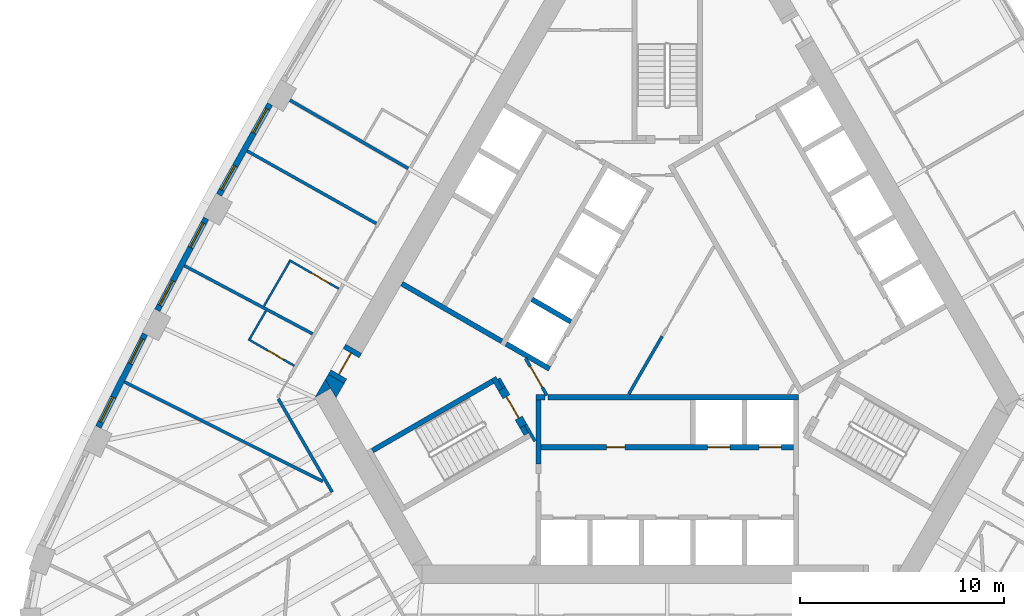
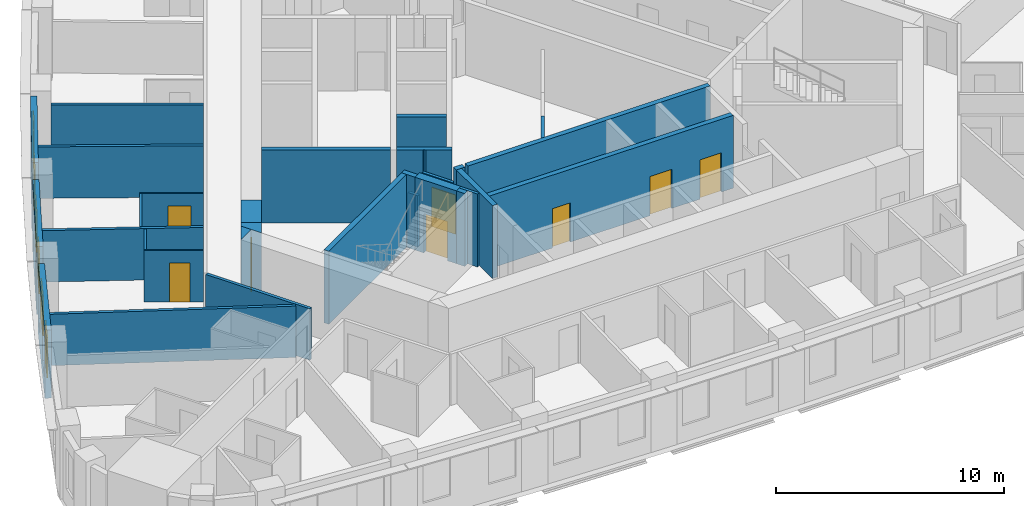
# One storey, part 5 of 13: 30 walls, 8 doors, 6 windows, 14 openings.
"""IFC4 building model written with IfcOpenShell, lengths in metres."""

import ifcopenshell
import ifcopenshell.guid

model = None  # the IFC model being written
_history = None  # IfcOwnerHistory: only IFC2X3 demands one
_inside = {}  # id of a spatial element -> (the spatial element, [elements in it])
_under = {}  # id of a project, library or spatial element -> (it, [spatial elements below it])
_declared = {}  # id of a project -> (the project, [libraries it declares])
_typed = {}  # id of a type object -> (the type object, [elements of that type])
_made_of = {}  # id of a material, layer set ... -> (it, [elements and type objects made of it])


def new_model(schema):
    """Start an empty IFC model of exactly this schema.

    Asked for "IFC4X3", IfcOpenShell would pick the latest addendum, in which some entities
    have other attributes; the version numbers below select the first issue.
    IFC2X3 requires an IfcOwnerHistory on every rooted entity: one is made here for all.
    """
    global model, _history
    if schema == "IFC4X3":
        model = ifcopenshell.file(schema_version=(4, 3, 0, 0))
    else:
        model = ifcopenshell.file(schema=schema)
    _inside.clear()
    _under.clear()
    _declared.clear()
    _typed.clear()
    _made_of.clear()
    _history = None
    if model.schema == "IFC2X3":
        org = make("IfcOrganization", Name="unknown")
        user = make(
            "IfcPersonAndOrganization",
            ThePerson=make("IfcPerson", FamilyName="unknown"),
            TheOrganization=org,
        )
        app = make(
            "IfcApplication",
            ApplicationDeveloper=org,
            Version="unknown",
            ApplicationFullName="unknown",
            ApplicationIdentifier="unknown",
        )
        _history = make(
            "IfcOwnerHistory",
            OwningUser=user,
            OwningApplication=app,
            ChangeAction="ADDED",
            CreationDate=0,
        )
    return model


def make(cls, **values):
    """One entity of the class cls with the attributes given. An attribute that is None is left unset."""
    return model.create_entity(
        cls, **{name: value for name, value in values.items() if value is not None}
    )


def rooted(cls, **values):
    """An entity with a GlobalId (a new one), such as an element, a storey or a relation."""
    return make(cls, GlobalId=ifcopenshell.guid.new(), OwnerHistory=_history, **values)


def si_unit(unit_type, name, prefix=None):
    """IfcSIUnit, for example si_unit("LENGTHUNIT", "METRE", prefix="MILLI")."""
    return make("IfcSIUnit", UnitType=unit_type, Prefix=prefix, Name=name)


def assignment(units):
    """IfcUnitAssignment: the units of a project."""
    return None if units is None else make("IfcUnitAssignment", Units=units)


def point(xyz):
    """IfcCartesianPoint."""
    return None if xyz is None else make("IfcCartesianPoint", Coordinates=xyz)


def direction(xyz):
    """IfcDirection."""
    return None if xyz is None else make("IfcDirection", DirectionRatios=xyz)


def frame(location, z_axis=None, x_axis=None):
    """IfcAxis2Placement3D, a coordinate frame: its origin and axes. An axis left out is left unset."""
    return make(
        "IfcAxis2Placement3D",
        Location=point(location),
        Axis=direction(z_axis),
        RefDirection=direction(x_axis),
    )


def frame_2d(location, x_axis=None):
    """IfcAxis2Placement2D, a coordinate frame in the plane: its origin and x axis."""
    return make(
        "IfcAxis2Placement2D", Location=point(location), RefDirection=direction(x_axis)
    )


def origin():
    """The frame at (0, 0, 0) with its axes left unset."""
    return frame((0.0, 0.0, 0.0))


def place(relative_to, where):
    """IfcLocalPlacement: puts the frame where relative to a parent placement (None: the world)."""
    return make(
        "IfcLocalPlacement", PlacementRelTo=relative_to, RelativePlacement=where
    )


def context(
    kind, dimensions, precision=None, world=None, true_north=None, identifier=None
):
    """IfcGeometricRepresentationContext, for example the 3D "Model" context."""
    return make(
        "IfcGeometricRepresentationContext",
        ContextIdentifier=identifier,
        ContextType=kind,
        CoordinateSpaceDimension=dimensions,
        Precision=precision,
        WorldCoordinateSystem=world,
        TrueNorth=true_north,
    )


def subcontext(parent, identifier, kind, view, scale=None):
    """IfcGeometricRepresentationSubContext, for example "Body" below "Model"."""
    return make(
        "IfcGeometricRepresentationSubContext",
        ContextIdentifier=identifier,
        ContextType=kind,
        ParentContext=parent,
        TargetScale=scale,
        TargetView=view,
    )


def project(units=None, contexts=None):
    """IfcProject with its units and contexts."""
    return rooted(
        "IfcProject",
        Name="project",
        RepresentationContexts=contexts,
        UnitsInContext=assignment(units),
    )


def spatial(cls, under=None, at=None, **own):
    """A site, building, storey or space (cls), placed at a placement, below another one or the project."""
    s = rooted(cls, ObjectPlacement=at, **own)
    if under is not None:
        _under.setdefault(under.id(), (under, []))[1].append(s)
    return s


def polyline(points):
    """IfcPolyline through the points."""
    return make("IfcPolyline", Points=[point(p) for p in points])


def profile(cls, at=None, kind="AREA", **sizes):
    """A parametric profile (cls). Its sizes go by their IFC names, for example OverallWidth=200.0."""
    return make(cls, ProfileType=kind, Position=at, **sizes)


def rectangle(**sizes):
    """IfcRectangleProfileDef."""
    return profile("IfcRectangleProfileDef", **sizes)


def outline(outer, holes=None, kind="AREA"):
    """IfcArbitraryClosedProfileDef: a profile drawn as a closed curve; with holes, ...WithVoids."""
    if holes is None:
        return make("IfcArbitraryClosedProfileDef", ProfileType=kind, OuterCurve=outer)
    return make(
        "IfcArbitraryProfileDefWithVoids",
        ProfileType=kind,
        OuterCurve=outer,
        InnerCurves=holes,
    )


def extrude(swept, where, along, depth):
    """IfcExtrudedAreaSolid: the profile swept, set in the frame where, extruded along a direction by depth."""
    return make(
        "IfcExtrudedAreaSolid",
        SweptArea=swept,
        Position=where,
        ExtrudedDirection=direction(along),
        Depth=depth,
    )


def shape(context_of_items, identifier, shape_type, items):
    """IfcShapeRepresentation: the items that make up one representation, for example the "Body"."""
    return make(
        "IfcShapeRepresentation",
        ContextOfItems=context_of_items,
        RepresentationIdentifier=identifier,
        RepresentationType=shape_type,
        Items=items,
    )


def material(Name=None, Category=None):
    """IfcMaterial."""
    return make("IfcMaterial", Name=Name, Category=Category)


def layer(
    of_material, thickness, ventilated=None, Name=None, Category=None, Priority=None
):
    """IfcMaterialLayer: one layer of a wall or slab, of a material (None: an air gap)."""
    return make(
        "IfcMaterialLayer",
        Material=of_material,
        LayerThickness=thickness,
        IsVentilated=ventilated,
        Name=Name,
        Category=Category,
        Priority=Priority,
    )


def layer_set(layers, Name=None):
    """IfcMaterialLayerSet."""
    return make("IfcMaterialLayerSet", MaterialLayers=layers, LayerSetName=Name)


def made_of(thing, what):
    """Note that an element or type object is made of a material, layer set ...; save() writes the relation."""
    if what is not None:
        _made_of.setdefault(what.id(), (what, []))[1].append(thing)
    return thing


def type_object(cls, material=None, **own):
    """A type object (cls), such as IfcWallType, which elements share."""
    return made_of(rooted(cls, **own), material)


def element(
    cls,
    number,
    at=None,
    inside=None,
    cuts=None,
    type_object=None,
    material=None,
    context=None,
    identifier="Body",
    shape_type=None,
    held_by="IfcProductDefinitionShape",
    body=None,
    shapes=None,
    **own,
):
    """One element of the class cls, such as IfcWall. Its Tag is "e" and its number.

    at: its placement. inside: the storey or other place that contains it. cuts: it is an
    opening in that element (IfcRelVoidsElement). A single representation is given by context,
    identifier, shape_type and body (its items); several are given by shapes. held_by: the class
    of the entity that holds the representations. save() writes the other relations.
    """
    e = rooted(cls, Tag="e%d" % number, ObjectPlacement=at, **own)
    if body is not None:
        shapes = [shape(context, identifier, shape_type, body)]
    if shapes is not None:
        e.Representation = make(held_by, Representations=shapes)
    if inside is not None:
        _inside.setdefault(inside.id(), (inside, []))[1].append(e)
    if cuts is not None:
        rooted(
            "IfcRelVoidsElement", RelatingBuildingElement=cuts, RelatedOpeningElement=e
        )
    if type_object is not None:
        _typed.setdefault(type_object.id(), (type_object, []))[1].append(e)
    return made_of(e, material)


def fill(opening, filler):
    """IfcRelFillsElement: the door or window that sits in an opening."""
    return rooted(
        "IfcRelFillsElement",
        RelatingOpeningElement=opening,
        RelatedBuildingElement=filler,
    )


def aggregate(whole, parts):
    """IfcRelAggregates: a whole, such as a stair, and the parts it consists of."""
    return rooted("IfcRelAggregates", RelatingObject=whole, RelatedObjects=parts)


def save(model, path):
    """Write the relations noted so far, then the file.

    IfcRelAggregates (storeys below a building ...), IfcRelContainedInSpatialStructure (elements
    in a storey), IfcRelDefinesByType, IfcRelAssociatesMaterial and IfcRelDeclares: one each for
    every whole, place, type object, material and project.
    """
    for whole, parts in _under.values():
        aggregate(whole, parts)
    for where, things in _inside.values():
        rooted(
            "IfcRelContainedInSpatialStructure",
            RelatedElements=things,
            RelatingStructure=where,
        )
    for kind, things in _typed.values():
        rooted("IfcRelDefinesByType", RelatedObjects=things, RelatingType=kind)
    for what, things in _made_of.values():
        rooted("IfcRelAssociatesMaterial", RelatedObjects=things, RelatingMaterial=what)
    for by, libraries in _declared.values():
        rooted("IfcRelDeclares", RelatingContext=by, RelatedDefinitions=libraries)
    model.write(path)


model = new_model("IFC4")

# Units and contexts
model_context = context("Model", 3, precision=1e-05, world=origin(), true_north=direction((0.0, 1.0)))
body_context = subcontext(model_context, "Body", "Model", "MODEL_VIEW")
ifc_project = project(units=[si_unit("LENGTHUNIT", "METRE"), si_unit("AREAUNIT", "SQUARE_METRE"), si_unit("VOLUMEUNIT", "CUBIC_METRE"), si_unit("PLANEANGLEUNIT", "RADIAN"), si_unit("MASSUNIT", "GRAM", prefix="KILO")], contexts=[model_context])

# Site, building, storey
site_placement = place(None, origin())
site = spatial("IfcSite", under=ifc_project, at=site_placement, CompositionType="ELEMENT")
building_placement = place(site_placement, origin())
building = spatial("IfcBuilding", under=site, at=building_placement, Name="Mestral Congress Tower", CompositionType="ELEMENT")
storey_placement = place(building_placement, frame((0.0, 0.0, 87.60009765625)))
storey = spatial("IfcBuildingStorey", under=building, at=storey_placement, Name="L20", CompositionType="ELEMENT", Elevation=87.60009765625)

# Walls
ifc_material_1 = material(Name="Fire-rated board partition")
ifc_layer_1 = layer(ifc_material_1, 0.14990234375)
ifc_layer_set_1 = layer_set([ifc_layer_1], Name="Fire-rated board partition")
wall_type_1 = type_object("IfcWallType", Name="Core partition 150", PredefinedType="PARTITIONING", material=ifc_layer_set_1)
wall_1_placement = place(storey_placement, frame((-8.251953125, -2.958251953125, 0.0), z_axis=(0.0, 0.0, 1.0), x_axis=(0.500174715838, -0.865924508047, 0.0)))
element("IfcWall", 1, at=wall_1_placement, inside=storey, type_object=wall_type_1, Name="L20 core wall", PredefinedType="PARTITIONING", context=body_context, shape_type="SweptSolid", body=[
    extrude(rectangle(XDim=0.513916015625, YDim=0.14990234375, at=frame_2d((0.2568359375, 0.0))), origin(), (0.0, 0.0, 1.0), 2.75),
])
wall_2_placement = place(storey_placement, frame((-1.886962890625, -3.71826171875, 0.0), z_axis=(0.0, 0.0, 1.0), x_axis=(0.500033287521, 0.866006184372, 0.0)))
element("IfcWall", 2, at=wall_2_placement, inside=storey, type_object=wall_type_1, Name="L20 core wall", PredefinedType="PARTITIONING", context=body_context, shape_type="SweptSolid", body=[
    extrude(rectangle(XDim=3.263427734375, YDim=0.14990234375, at=frame_2d((1.6318359375, 0.0))), origin(), (0.0, 0.0, 1.0), 2.75),
])

# Wall, opening, door
wall_3_placement = place(storey_placement, frame((-5.89501953125, -3.789794921875, 0.0), z_axis=(0.0, 0.0, 1.0), x_axis=(-0.49994051562, 0.866059744384, 0.0)))
wall_3 = element("IfcWall", 3, at=wall_3_placement, inside=storey, type_object=wall_type_1, Name="L20 door wall", PredefinedType="PARTITIONING", context=body_context, shape_type="SweptSolid", body=[
    extrude(rectangle(XDim=2.099853515625, YDim=0.14990234375, at=frame_2d((1.0498046875, 0.0))), origin(), (0.0, 0.0, 1.0), 2.75),
])
opening_1_placement = place(wall_3_placement, frame((0.449951171875, 0.0, 0.0)))
opening_1 = element("IfcOpeningElement", 4, at=opening_1_placement, cuts=wall_3, Name="Opening CD3-FF", PredefinedType="OPENING", context=body_context, shape_type="SweptSolid", body=[
    extrude(rectangle(XDim=1.199951171875, YDim=2.10009765625, at=frame_2d((0.60009765625, 1.050048828125))), frame((0.0, 0.0849609375, 0.0), z_axis=(0.0, -1.0, 0.0), x_axis=(1.0, 0.0, 0.0)), (0.0, 0.0, 1.0), 0.169921875),
])
ifc_material_2 = material(Name="Fire-rated steel door set", Category="steel")
door_type_1 = type_object("IfcDoorType", Name="Core door CD 1200x2100", OperationType="SINGLE_SWING_LEFT", PredefinedType="DOOR", material=ifc_material_2)
door_1_placement = place(opening_1_placement, origin())
door_1 = element("IfcDoor", 5, at=door_1_placement, inside=storey, type_object=door_type_1, Name="Door CD3-FF", OperationType="SINGLE_SWING_LEFT", OverallHeight=2.10009765625, OverallWidth=1.199951171875, PredefinedType="DOOR", context=body_context, shape_type="SweptSolid", body=[
    extrude(rectangle(XDim=1.199951171875, YDim=2.10009765625, at=frame_2d((0.60009765625, 1.050048828125))), frame((0.0, 0.02490234375, 0.0), z_axis=(0.0, -1.0, 0.0), x_axis=(1.0, 0.0, 0.0)), (0.0, 0.0, 1.0), 0.050048828125),
])
fill(opening_1, door_1)

# Walls
ifc_material_3 = material(Name="Concrete C60/75", Category="concrete")
ifc_layer_2 = layer(ifc_material_3, 0.89990234375)
ifc_layer_set_2 = layer_set([ifc_layer_2], Name="Concrete C60/75")
wall_type_2 = type_object("IfcWallType", Name="Core wall RC 900", PredefinedType="SOLIDWALL", material=ifc_layer_set_2)
placement = place(storey_placement, origin())
element("IfcWall", 6, at=placement, inside=storey, type_object=wall_type_2, Name="L20 core wall", PredefinedType="SOLIDWALL", context=body_context, shape_type="SweptSolid", body=[
    extrude(outline(polyline([(-16.4892578125, -3.43994140625), (-17.251220703125, -3.8798828125), (-16.7431640625, -3.0), (-16.4892578125, -3.43994140625)])), origin(), (0.0, 0.0, 1.0), 3.89990234375),
])
element("IfcWall", 7, at=placement, inside=storey, type_object=wall_type_2, Name="L20 core wall", PredefinedType="SOLIDWALL", context=body_context, shape_type="SweptSolid", body=[
    extrude(outline(polyline([(-15.81982421875, -3.20068359375), (-16.223388671875, -3.89990234375), (-16.7431640625, -3.0), (-16.599365234375, -2.750732421875), (-15.81982421875, -3.20068359375)])), origin(), (0.0, 0.0, 1.0), 3.89990234375),
])

# Wall, opening, door
wall_6_placement = place(storey_placement, frame((-16.20947265625, -2.9755859375, 0.0), z_axis=(0.0, 0.0, 1.0), x_axis=(0.499954529098, 0.86605165483, 0.0)))
wall_6 = element("IfcWall", 8, at=wall_6_placement, inside=storey, type_object=wall_type_2, Name="L20 door wall", PredefinedType="SOLIDWALL", context=body_context, shape_type="SweptSolid", body=[
    extrude(rectangle(XDim=1.699951171875, YDim=0.89990234375, at=frame_2d((0.85009765625, 0.0))), origin(), (0.0, 0.0, 1.0), 3.89990234375),
])
opening_2_placement = place(wall_6_placement, frame((0.25, 0.0, 0.0)))
opening_2 = element("IfcOpeningElement", 9, at=opening_2_placement, cuts=wall_6, Name="Opening XD3", PredefinedType="OPENING", context=body_context, shape_type="SweptSolid", body=[
    extrude(rectangle(XDim=1.199951171875, YDim=2.10009765625, at=frame_2d((0.60009765625, 1.050048828125))), frame((0.0, 0.4599609375, 0.0), z_axis=(0.0, -1.0, 0.0), x_axis=(1.0, 0.0, 0.0)), (0.0, 0.0, 1.0), 0.919921875),
])
door_type_2 = type_object("IfcDoorType", Name="Core door XD 1200x2100", OperationType="SINGLE_SWING_LEFT", PredefinedType="DOOR", material=ifc_material_2)
door_2_placement = place(opening_2_placement, origin())
door_2 = element("IfcDoor", 10, at=door_2_placement, inside=storey, type_object=door_type_2, Name="Door XD3", OperationType="SINGLE_SWING_LEFT", OverallHeight=2.10009765625, OverallWidth=1.199951171875, PredefinedType="DOOR", context=body_context, shape_type="SweptSolid", body=[
    extrude(rectangle(XDim=1.199951171875, YDim=2.10009765625, at=frame_2d((0.60009765625, 1.050048828125))), frame((0.0, 0.02490234375, 0.0), z_axis=(0.0, -1.0, 0.0), x_axis=(1.0, 0.0, 0.0)), (0.0, 0.0, 1.0), 0.050048828125),
])
fill(opening_2, door_2)

# Wall, openings, windows
ifc_material_4 = material(Name="Precast concrete C40/50 with limestone facing", Category="masonry")
ifc_layer_3 = layer(ifc_material_4, 0.2900390625)
ifc_layer_set_3 = layer_set([ifc_layer_3], Name="Precast concrete C40/50 with limestone facing")
wall_type_3 = type_object("IfcWallType", Name="Facade stone wall 290", PredefinedType="SOLIDWALL", material=ifc_layer_set_3)
wall_7_placement = place(storey_placement, frame((-19.4580078125, 10.479736328125, 0.0), z_axis=(0.0, 0.0, 1.0), x_axis=(-0.48983164787, -0.87181704316, 0.0)))
wall_7 = element("IfcWall", 11, at=wall_7_placement, inside=storey, type_object=wall_type_3, Name="Facade wall F2-04", PredefinedType="SOLIDWALL", context=body_context, shape_type="SweptSolid", body=[
    extrude(rectangle(XDim=5.100341796875, YDim=0.2900390625, at=frame_2d((2.55029296875, 0.0))), origin(), (0.0, 0.0, 1.0), 3.64990234375),
])
opening_3_placement = place(wall_7_placement, frame((0.2724609375, 0.0, 0.89990234375)))
opening_3 = element("IfcOpeningElement", 12, at=opening_3_placement, cuts=wall_7, Name="Opening W2", PredefinedType="OPENING", context=body_context, shape_type="SweptSolid", body=[
    extrude(rectangle(XDim=1.35009765625, YDim=2.14990234375, at=frame_2d((0.675048828125, 1.074951171875))), frame((0.0, 0.155029296875, 0.0), z_axis=(0.0, -1.0, 0.0), x_axis=(1.0, 0.0, 0.0)), (0.0, 0.0, 1.0), 0.31005859375),
])
opening_4_placement = place(wall_7_placement, frame((3.477783203125, 0.0, 0.89990234375)))
opening_4 = element("IfcOpeningElement", 13, at=opening_4_placement, cuts=wall_7, Name="Opening W2", PredefinedType="OPENING", context=body_context, shape_type="SweptSolid", body=[
    extrude(rectangle(XDim=1.35009765625, YDim=2.14990234375, at=frame_2d((0.675048828125, 1.074951171875))), frame((0.0, 0.155029296875, 0.0), z_axis=(0.0, -1.0, 0.0), x_axis=(1.0, 0.0, 0.0)), (0.0, 0.0, 1.0), 0.31005859375),
])
ifc_material_5 = material(Name="Clear low-emissivity double glazing", Category="glass")
window_type = type_object("IfcWindowType", Name="Facade punched window 1350 x 2150 sill 900", PartitioningType="DOUBLE_PANEL_VERTICAL", PredefinedType="WINDOW", material=ifc_material_5)
window_1_placement = place(opening_3_placement, origin())
window_1 = element("IfcWindow", 14, at=window_1_placement, inside=storey, type_object=window_type, Name="Window F2-04a", OverallHeight=2.14990234375, OverallWidth=1.35009765625, PartitioningType="DOUBLE_PANEL_VERTICAL", PredefinedType="WINDOW", context=body_context, shape_type="SweptSolid", body=[
    extrude(rectangle(XDim=1.35009765625, YDim=2.14990234375, at=frame_2d((0.675048828125, 1.074951171875))), frame((0.0, 0.01513671875, 0.0), z_axis=(0.0, -1.0, 0.0), x_axis=(1.0, 0.0, 0.0)), (0.0, 0.0, 1.0), 0.06005859375),
])
fill(opening_3, window_1)
window_2_placement = place(opening_4_placement, origin())
window_2 = element("IfcWindow", 15, at=window_2_placement, inside=storey, type_object=window_type, Name="Window F2-04b", OverallHeight=2.14990234375, OverallWidth=1.35009765625, PartitioningType="DOUBLE_PANEL_VERTICAL", PredefinedType="WINDOW", context=body_context, shape_type="SweptSolid", body=[
    extrude(rectangle(XDim=1.35009765625, YDim=2.14990234375, at=frame_2d((0.675048828125, 1.074951171875))), frame((0.0, 0.01513671875, 0.0), z_axis=(0.0, -1.0, 0.0), x_axis=(1.0, 0.0, 0.0)), (0.0, 0.0, 1.0), 0.06005859375),
])
fill(opening_4, window_2)

wall_8_placement = place(storey_placement, frame((-22.5830078125, 4.88671875, 0.0), z_axis=(0.0, 0.0, 1.0), x_axis=(-0.469323203119, -0.883026461106, 0.0)))
wall_8 = element("IfcWall", 16, at=wall_8_placement, inside=storey, type_object=wall_type_3, Name="Facade wall F2-05", PredefinedType="SOLIDWALL", context=body_context, shape_type="SweptSolid", body=[
    extrude(rectangle(XDim=5.1005859375, YDim=0.2900390625, at=frame_2d((2.55029296875, 0.0))), origin(), (0.0, 0.0, 1.0), 3.64990234375),
])
opening_5_placement = place(wall_8_placement, frame((0.272705078125, 0.0, 0.89990234375)))
opening_5 = element("IfcOpeningElement", 17, at=opening_5_placement, cuts=wall_8, Name="Opening W2", PredefinedType="OPENING", context=body_context, shape_type="SweptSolid", body=[
    extrude(rectangle(XDim=1.35009765625, YDim=2.14990234375, at=frame_2d((0.675048828125, 1.074951171875))), frame((0.0, 0.155029296875, 0.0), z_axis=(0.0, -1.0, 0.0), x_axis=(1.0, 0.0, 0.0)), (0.0, 0.0, 1.0), 0.31005859375),
])
opening_6_placement = place(wall_8_placement, frame((3.477783203125, 0.0, 0.89990234375)))
opening_6 = element("IfcOpeningElement", 18, at=opening_6_placement, cuts=wall_8, Name="Opening W2", PredefinedType="OPENING", context=body_context, shape_type="SweptSolid", body=[
    extrude(rectangle(XDim=1.35009765625, YDim=2.14990234375, at=frame_2d((0.675048828125, 1.074951171875))), frame((0.0, 0.155029296875, 0.0), z_axis=(0.0, -1.0, 0.0), x_axis=(1.0, 0.0, 0.0)), (0.0, 0.0, 1.0), 0.31005859375),
])
window_3_placement = place(opening_5_placement, origin())
window_3 = element("IfcWindow", 19, at=window_3_placement, inside=storey, type_object=window_type, Name="Window F2-05a", OverallHeight=2.14990234375, OverallWidth=1.35009765625, PartitioningType="DOUBLE_PANEL_VERTICAL", PredefinedType="WINDOW", context=body_context, shape_type="SweptSolid", body=[
    extrude(rectangle(XDim=1.35009765625, YDim=2.14990234375, at=frame_2d((0.675048828125, 1.074951171875))), frame((0.0, 0.01513671875, 0.0), z_axis=(0.0, -1.0, 0.0), x_axis=(1.0, 0.0, 0.0)), (0.0, 0.0, 1.0), 0.06005859375),
])
fill(opening_5, window_3)
window_4_placement = place(opening_6_placement, origin())
window_4 = element("IfcWindow", 20, at=window_4_placement, inside=storey, type_object=window_type, Name="Window F2-05b", OverallHeight=2.14990234375, OverallWidth=1.35009765625, PartitioningType="DOUBLE_PANEL_VERTICAL", PredefinedType="WINDOW", context=body_context, shape_type="SweptSolid", body=[
    extrude(rectangle(XDim=1.35009765625, YDim=2.14990234375, at=frame_2d((0.675048828125, 1.074951171875))), frame((0.0, 0.01513671875, 0.0), z_axis=(0.0, -1.0, 0.0), x_axis=(1.0, 0.0, 0.0)), (0.0, 0.0, 1.0), 0.06005859375),
])
fill(opening_6, window_4)

wall_9_placement = place(storey_placement, frame((-25.576416015625, -0.77783203125, 0.0), z_axis=(0.0, 0.0, 1.0), x_axis=(-0.448534297211, -0.893765620409, 0.0)))
wall_9 = element("IfcWall", 21, at=wall_9_placement, inside=storey, type_object=wall_type_3, Name="Facade wall F2-06", PredefinedType="SOLIDWALL", context=body_context, shape_type="SweptSolid", body=[
    extrude(rectangle(XDim=5.10009765625, YDim=0.2900390625, at=frame_2d((2.550048828125, 0.0))), origin(), (0.0, 0.0, 1.0), 3.64990234375),
])
opening_7_placement = place(wall_9_placement, frame((0.2724609375, 0.0, 0.89990234375)))
opening_7 = element("IfcOpeningElement", 22, at=opening_7_placement, cuts=wall_9, Name="Opening W2", PredefinedType="OPENING", context=body_context, shape_type="SweptSolid", body=[
    extrude(rectangle(XDim=1.35009765625, YDim=2.14990234375, at=frame_2d((0.675048828125, 1.074951171875))), frame((0.0, 0.155029296875, 0.0), z_axis=(0.0, -1.0, 0.0), x_axis=(1.0, 0.0, 0.0)), (0.0, 0.0, 1.0), 0.31005859375),
])
opening_8_placement = place(wall_9_placement, frame((3.477783203125, 0.0, 0.89990234375)))
opening_8 = element("IfcOpeningElement", 23, at=opening_8_placement, cuts=wall_9, Name="Opening W2", PredefinedType="OPENING", context=body_context, shape_type="SweptSolid", body=[
    extrude(rectangle(XDim=1.35009765625, YDim=2.14990234375, at=frame_2d((0.675048828125, 1.074951171875))), frame((0.0, 0.155029296875, 0.0), z_axis=(0.0, -1.0, 0.0), x_axis=(1.0, 0.0, 0.0)), (0.0, 0.0, 1.0), 0.31005859375),
])
window_5_placement = place(opening_7_placement, origin())
window_5 = element("IfcWindow", 24, at=window_5_placement, inside=storey, type_object=window_type, Name="Window F2-06a", OverallHeight=2.14990234375, OverallWidth=1.35009765625, PartitioningType="DOUBLE_PANEL_VERTICAL", PredefinedType="WINDOW", context=body_context, shape_type="SweptSolid", body=[
    extrude(rectangle(XDim=1.35009765625, YDim=2.14990234375, at=frame_2d((0.675048828125, 1.074951171875))), frame((0.0, 0.01513671875, 0.0), z_axis=(0.0, -1.0, 0.0), x_axis=(1.0, 0.0, 0.0)), (0.0, 0.0, 1.0), 0.06005859375),
])
fill(opening_7, window_5)
window_6_placement = place(opening_8_placement, origin())
window_6 = element("IfcWindow", 25, at=window_6_placement, inside=storey, type_object=window_type, Name="Window F2-06b", OverallHeight=2.14990234375, OverallWidth=1.35009765625, PartitioningType="DOUBLE_PANEL_VERTICAL", PredefinedType="WINDOW", context=body_context, shape_type="SweptSolid", body=[
    extrude(rectangle(XDim=1.35009765625, YDim=2.14990234375, at=frame_2d((0.675048828125, 1.074951171875))), frame((0.0, 0.01513671875, 0.0), z_axis=(0.0, -1.0, 0.0), x_axis=(1.0, 0.0, 0.0)), (0.0, 0.0, 1.0), 0.06005859375),
])
fill(opening_8, window_6)

# Wall, opening, door
ifc_material_6 = material(Name="Gypsum board partition on metal studs with mineral wool", Category="composite")
ifc_layer_4 = layer(ifc_material_6, 0.10009765625)
ifc_layer_set_4 = layer_set([ifc_layer_4], Name="Gypsum board partition on metal studs with mineral wool")
wall_type_4 = type_object("IfcWallType", Name="Hotel partition wall 100", PredefinedType="PARTITIONING", material=ifc_layer_set_4)
wall_10_placement = place(storey_placement, frame((-16.08740234375, 1.435791015625, 0.0), z_axis=(0.0, 0.0, 1.0), x_axis=(-0.866034573852, 0.49998411664, 0.0)))
wall_10 = element("IfcWall", 26, at=wall_10_placement, inside=storey, type_object=wall_type_4, Name="L20-h-pod24a", PredefinedType="PARTITIONING", context=body_context, shape_type="SweptSolid", body=[
    extrude(rectangle(XDim=2.7998046875, YDim=0.10009765625, at=frame_2d((1.39990234375, 0.0))), origin(), (0.0, 0.0, 1.0), 2.75),
])
opening_9_placement = place(wall_10_placement, frame((0.550048828125, 0.0, 0.0)))
opening_9 = element("IfcOpeningElement", 27, at=opening_9_placement, cuts=wall_10, Name="Opening H06-045", PredefinedType="OPENING", context=body_context, shape_type="SweptSolid", body=[
    extrude(rectangle(XDim=1.0, YDim=2.10009765625, at=frame_2d((0.5, 1.050048828125))), frame((0.0, 0.06005859375, 0.0), z_axis=(0.0, -1.0, 0.0), x_axis=(1.0, 0.0, 0.0)), (0.0, 0.0, 1.0), 0.1201171875),
])
ifc_material_7 = material(Name="Timber veneer door leaf in timber frame", Category="wood")
door_type_3 = type_object("IfcDoorType", Name="Accessible bathroom door 1000", OperationType="SINGLE_SWING_LEFT", PredefinedType="DOOR", material=ifc_material_7)
door_3_placement = place(opening_9_placement, origin())
door_3 = element("IfcDoor", 28, at=door_3_placement, inside=storey, type_object=door_type_3, Name="L20-h-d045", OperationType="SINGLE_SWING_RIGHT", OverallHeight=2.10009765625, OverallWidth=1.0, PredefinedType="DOOR", context=body_context, shape_type="SweptSolid", body=[
    extrude(rectangle(XDim=1.0, YDim=2.10009765625, at=frame_2d((0.5, 1.050048828125))), frame((0.0, 0.02490234375, 0.0), z_axis=(0.0, -1.0, 0.0), x_axis=(1.0, 0.0, 0.0)), (0.0, 0.0, 1.0), 0.050048828125),
])
fill(opening_9, door_3)

# Wall
wall_11_placement = place(storey_placement, frame((-18.493896484375, 2.767578125, 0.0), z_axis=(0.0, 0.0, 1.0), x_axis=(-0.500004791531, -0.866022637375, 0.0)))
element("IfcWall", 29, at=wall_11_placement, inside=storey, type_object=wall_type_4, Name="L20-h-pod24b", PredefinedType="PARTITIONING", context=body_context, shape_type="SweptSolid", body=[
    extrude(rectangle(XDim=2.52001953125, YDim=0.10009765625, at=frame_2d((1.260009765625, 0.0))), origin(), (0.0, 0.0, 1.0), 2.75),
])

# Wall, opening, door
wall_12_placement = place(storey_placement, frame((-20.517578125, -1.037353515625, 0.0), z_axis=(0.0, 0.0, 1.0), x_axis=(0.866021400173, -0.500006934395, 0.0)))
wall_12 = element("IfcWall", 30, at=wall_12_placement, inside=storey, type_object=wall_type_4, Name="L20-h-pod25a", PredefinedType="PARTITIONING", context=body_context, shape_type="SweptSolid", body=[
    extrude(rectangle(XDim=2.60009765625, YDim=0.10009765625, at=frame_2d((1.300048828125, 0.0))), origin(), (0.0, 0.0, 1.0), 2.75),
])
opening_10_placement = place(wall_12_placement, frame((1.10009765625, 0.0, 0.0)))
opening_10 = element("IfcOpeningElement", 31, at=opening_10_placement, cuts=wall_12, Name="Opening H06-047", PredefinedType="OPENING", context=body_context, shape_type="SweptSolid", body=[
    extrude(rectangle(XDim=0.89990234375, YDim=2.10009765625, at=frame_2d((0.449951171875, 1.050048828125))), frame((0.0, 0.06005859375, 0.0), z_axis=(0.0, -1.0, 0.0), x_axis=(1.0, 0.0, 0.0)), (0.0, 0.0, 1.0), 0.1201171875),
])
door_type_4 = type_object("IfcDoorType", Name="Bathroom door 900", OperationType="SINGLE_SWING_LEFT", PredefinedType="DOOR", material=ifc_material_7)
door_4_placement = place(opening_10_placement, origin())
door_4 = element("IfcDoor", 32, at=door_4_placement, inside=storey, type_object=door_type_4, Name="L20-h-d047", OperationType="SINGLE_SWING_LEFT", OverallHeight=2.10009765625, OverallWidth=0.89990234375, PredefinedType="DOOR", context=body_context, shape_type="SweptSolid", body=[
    extrude(rectangle(XDim=0.89990234375, YDim=2.10009765625, at=frame_2d((0.449951171875, 1.050048828125))), frame((0.0, 0.02490234375, 0.0), z_axis=(0.0, -1.0, 0.0), x_axis=(1.0, 0.0, 0.0)), (0.0, 0.0, 1.0), 0.050048828125),
])
fill(opening_10, door_4)

# Walls
wall_13_placement = place(storey_placement, frame((-20.44921875, -1.01904296875, 0.0), z_axis=(0.0, 0.0, 1.0), x_axis=(0.500061319399, 0.865989998118, 0.0)))
element("IfcWall", 33, at=wall_13_placement, inside=storey, type_object=wall_type_4, Name="L20-h-pod25b", PredefinedType="PARTITIONING", context=body_context, shape_type="SweptSolid", body=[
    extrude(rectangle(XDim=1.579833984375, YDim=0.10009765625, at=frame_2d((0.7900390625, 0.0))), origin(), (0.0, 0.0, 1.0), 2.75),
])
ifc_layer_5 = layer(ifc_material_6, 0.14990234375)
ifc_layer_set_5 = layer_set([ifc_layer_5], Name="Gypsum board partition on metal studs with mineral wool")
wall_type_5 = type_object("IfcWallType", Name="Hotel partition wall 150", PredefinedType="PARTITIONING", material=ifc_layer_set_5)
wall_14_placement = place(storey_placement, frame((-16.412353515625, -8.52294921875, 0.0), z_axis=(0.0, 0.0, 1.0), x_axis=(-0.500001929737, 0.866024289647, 0.0)))
element("IfcWall", 34, at=wall_14_placement, inside=storey, type_object=wall_type_5, Name="L20-h-cw09", PredefinedType="PARTITIONING", context=body_context, shape_type="SweptSolid", body=[
    extrude(rectangle(XDim=5.26806640625, YDim=0.14990234375, at=frame_2d((2.634033203125, 0.0))), origin(), (0.0, 0.0, 1.0), 2.75),
])
wall_15_placement = place(storey_placement, frame((-23.65185546875, 2.56689453125, 0.0), z_axis=(0.0, 0.0, 1.0), x_axis=(0.883019237957, -0.469336793144, 0.0)))
element("IfcWall", 35, at=wall_15_placement, inside=storey, type_object=wall_type_5, Name="L20-h-pw05", PredefinedType="PARTITIONING", context=body_context, shape_type="SweptSolid", body=[
    extrude(rectangle(XDim=7.11083984375, YDim=0.14990234375, at=frame_2d((3.555419921875, 0.0))), origin(), (0.0, 0.0, 1.0), 2.75),
])
wall_16_placement = place(storey_placement, frame((-26.590576171875, -3.1220703125, 0.0), z_axis=(0.0, 0.0, 1.0), x_axis=(0.893766213273, -0.448533115847, 0.0)))
element("IfcWall", 36, at=wall_16_placement, inside=storey, type_object=wall_type_5, Name="L20-h-pw06", PredefinedType="PARTITIONING", context=body_context, shape_type="SweptSolid", body=[
    extrude(rectangle(XDim=10.875244140625, YDim=0.14990234375, at=frame_2d((5.4375, 0.0))), origin(), (0.0, 0.0, 1.0), 2.75),
])
wall_17_placement = place(storey_placement, frame((-20.580810546875, 8.185302734375, 0.0), z_axis=(0.0, 0.0, 1.0), x_axis=(0.871820720803, -0.489825102233, 0.0)))
element("IfcWall", 37, at=wall_17_placement, inside=storey, type_object=wall_type_5, Name="L20-h-pw07", PredefinedType="PARTITIONING", context=body_context, shape_type="SweptSolid", body=[
    extrude(rectangle(XDim=7.256591796875, YDim=0.14990234375, at=frame_2d((3.62841796875, 0.0))), origin(), (0.0, 0.0, 1.0), 2.75),
])
wall_18_placement = place(storey_placement, frame((-18.484130859375, 10.671875, 0.0), z_axis=(0.0, 0.0, 1.0), x_axis=(0.866019162053, -0.50001081084, 0.0)))
element("IfcWall", 38, at=wall_18_placement, inside=storey, type_object=wall_type_5, Name="L20-h-pw08", PredefinedType="PARTITIONING", context=body_context, shape_type="SweptSolid", body=[
    extrude(rectangle(XDim=6.693603515625, YDim=0.14990234375, at=frame_2d((3.3466796875, 0.0))), origin(), (0.0, 0.0, 1.0), 2.75),
])
ifc_layer_6 = layer(ifc_material_3, 0.25)
ifc_layer_set_6 = layer_set([ifc_layer_6], Name="Concrete C60/75")
wall_type_6 = type_object("IfcWallType", Name="Shaft wall RC 250", PredefinedType="SOLIDWALL", material=ifc_layer_set_6)
wall_19_placement = place(storey_placement, frame((-5.844970703125, -3.875, 0.0), z_axis=(0.0, 0.0, 1.0), x_axis=(1.0, 0.0, 0.0)))
element("IfcWall", 39, at=wall_19_placement, inside=storey, type_object=wall_type_6, Name="L20 core wall", PredefinedType="SOLIDWALL", context=body_context, shape_type="SweptSolid", body=[
    extrude(rectangle(XDim=12.27001953125, YDim=0.25, at=frame_2d((6.135009765625, 0.0))), origin(), (0.0, 0.0, 1.0), 3.89990234375),
])
wall_20_placement = place(storey_placement, frame((-6.425048828125, -3.875, 0.0), z_axis=(0.0, 0.0, 1.0), x_axis=(1.0, 0.0, 0.0)))
element("IfcWall", 40, at=wall_20_placement, inside=storey, type_object=wall_type_6, Name="L20 core wall", PredefinedType="SOLIDWALL", context=body_context, shape_type="SweptSolid", body=[
    extrude(rectangle(XDim=0.427978515625, YDim=0.25, at=frame_2d((0.2138671875, 0.0))), origin(), (0.0, 0.0, 1.0), 3.89990234375),
])
wall_21_placement = place(storey_placement, frame((-6.300048828125, -4.0, 0.0), z_axis=(0.0, 0.0, 1.0), x_axis=(0.0, -1.0, 0.0)))
element("IfcWall", 41, at=wall_21_placement, inside=storey, type_object=wall_type_6, Name="L20 core wall", PredefinedType="SOLIDWALL", context=body_context, shape_type="SweptSolid", body=[
    extrude(rectangle(XDim=3.154296875, YDim=0.25, at=frame_2d((1.5771484375, 0.0))), origin(), (0.0, 0.0, 1.0), 3.89990234375),
])
wall_22_placement = place(storey_placement, frame((-4.72412109375, -0.182373046875, 0.0), z_axis=(0.0, 0.0, 1.0), x_axis=(-0.866008176907, 0.50002983664, 0.0)))
element("IfcWall", 42, at=wall_22_placement, inside=storey, type_object=wall_type_6, Name="L20 core wall", PredefinedType="SOLIDWALL", context=body_context, shape_type="SweptSolid", body=[
    extrude(rectangle(XDim=2.199951171875, YDim=0.25, at=frame_2d((1.10009765625, 0.0))), origin(), (0.0, 0.0, 1.0), 3.89990234375),
])
element("IfcWall", 43, at=placement, inside=storey, type_object=wall_type_6, Name="L20 core wall", PredefinedType="SOLIDWALL", context=body_context, shape_type="SweptSolid", body=[
    extrude(outline(polyline([(-5.921630859375, -2.256591796875), (-5.921630859375, -2.256591796875), (-5.705078125, -2.381591796875), (-5.830078125, -2.597900390625), (-6.829345703125, -2.02099609375), (-6.8798828125, -1.93359375), (-6.8798828125, -1.93359375), (-6.930419921875, -1.962646484375), (-7.951904296875, -1.373046875), (-7.826904296875, -1.156494140625), (-5.921630859375, -2.256591796875)])), origin(), (0.0, 0.0, 1.0), 3.89990234375),
])
wall_24_placement = place(storey_placement, frame((-8.10595703125, -1.139892578125, 0.0), z_axis=(0.0, 0.0, 1.0), x_axis=(-0.866000643155, 0.500042884217, 0.0)))
element("IfcWall", 44, at=wall_24_placement, inside=storey, type_object=wall_type_6, Name="L20 core wall", PredefinedType="SOLIDWALL", context=body_context, shape_type="SweptSolid", body=[
    extrude(rectangle(XDim=5.64990234375, YDim=0.25, at=frame_2d((2.824951171875, 0.0))), origin(), (0.0, 0.0, 1.0), 3.89990234375),
])

# Wall, openings, doors
wall_25_placement = place(storey_placement, frame((-6.175048828125, -6.324951171875, 0.0), z_axis=(0.0, 0.0, 1.0), x_axis=(1.0, 0.0, 0.0)))
wall_25 = element("IfcWall", 45, at=wall_25_placement, inside=storey, type_object=wall_type_6, Name="L20 door wall", PredefinedType="SOLIDWALL", context=body_context, shape_type="SweptSolid", body=[
    extrude(rectangle(XDim=12.35009765625, YDim=0.25, at=frame_2d((6.175048828125, 0.0))), origin(), (0.0, 0.0, 1.0), 3.89990234375),
])
opening_11_placement = place(wall_25_placement, frame((3.205078125, 0.0, 0.0)))
opening_11 = element("IfcOpeningElement", 46, at=opening_11_placement, cuts=wall_25, Name="Opening SR-SOB1", PredefinedType="OPENING", context=body_context, shape_type="SweptSolid", body=[
    extrude(rectangle(XDim=0.89990234375, YDim=2.10009765625, at=frame_2d((0.449951171875, 1.050048828125))), frame((0.0, 0.135009765625, 0.0), z_axis=(0.0, -1.0, 0.0), x_axis=(1.0, 0.0, 0.0)), (0.0, 0.0, 1.0), 0.27001953125),
])
opening_12_placement = place(wall_25_placement, frame((8.14501953125, 0.0, 0.0)))
opening_12 = element("IfcOpeningElement", 47, at=opening_12_placement, cuts=wall_25, Name="Opening LD-SOB4", PredefinedType="OPENING", context=body_context, shape_type="SweptSolid", body=[
    extrude(rectangle(XDim=1.10009765625, YDim=2.10009765625, at=frame_2d((0.550048828125, 1.050048828125))), frame((0.0, 0.135009765625, 0.0), z_axis=(0.0, -1.0, 0.0), x_axis=(1.0, 0.0, 0.0)), (0.0, 0.0, 1.0), 0.27001953125),
])
opening_13_placement = place(wall_25_placement, frame((10.6650390625, 0.0, 0.0)))
opening_13 = element("IfcOpeningElement", 48, at=opening_13_placement, cuts=wall_25, Name="Opening LD-SOB5", PredefinedType="OPENING", context=body_context, shape_type="SweptSolid", body=[
    extrude(rectangle(XDim=1.10009765625, YDim=2.10009765625, at=frame_2d((0.550048828125, 1.050048828125))), frame((0.0, 0.135009765625, 0.0), z_axis=(0.0, -1.0, 0.0), x_axis=(1.0, 0.0, 0.0)), (0.0, 0.0, 1.0), 0.27001953125),
])
door_type_5 = type_object("IfcDoorType", Name="Core door LD 1100x2100", OperationType="DOUBLE_DOOR_SLIDING", PredefinedType="DOOR", material=ifc_material_2)
door_5_placement = place(opening_12_placement, origin())
door_5 = element("IfcDoor", 49, at=door_5_placement, inside=storey, type_object=door_type_5, Name="Door LD-SOB4", OperationType="DOUBLE_DOOR_SLIDING", OverallHeight=2.10009765625, OverallWidth=1.10009765625, PredefinedType="DOOR", context=body_context, shape_type="SweptSolid", body=[
    extrude(rectangle(XDim=1.10009765625, YDim=2.10009765625, at=frame_2d((0.550048828125, 1.050048828125))), frame((0.0, 0.02490234375, 0.0), z_axis=(0.0, -1.0, 0.0), x_axis=(1.0, 0.0, 0.0)), (0.0, 0.0, 1.0), 0.050048828125),
])
fill(opening_12, door_5)
door_6_placement = place(opening_13_placement, origin())
door_6 = element("IfcDoor", 50, at=door_6_placement, inside=storey, type_object=door_type_5, Name="Door LD-SOB5", OperationType="DOUBLE_DOOR_SLIDING", OverallHeight=2.10009765625, OverallWidth=1.10009765625, PredefinedType="DOOR", context=body_context, shape_type="SweptSolid", body=[
    extrude(rectangle(XDim=1.10009765625, YDim=2.10009765625, at=frame_2d((0.550048828125, 1.050048828125))), frame((0.0, 0.02490234375, 0.0), z_axis=(0.0, -1.0, 0.0), x_axis=(1.0, 0.0, 0.0)), (0.0, 0.0, 1.0), 0.050048828125),
])
fill(opening_13, door_6)
door_type_6 = type_object("IfcDoorType", Name="Core door SR 900x2100", OperationType="SINGLE_SWING_LEFT", PredefinedType="DOOR", material=ifc_material_2)
door_7_placement = place(opening_11_placement, origin())
door_7 = element("IfcDoor", 51, at=door_7_placement, inside=storey, type_object=door_type_6, Name="Door SR-SOB1", OperationType="SINGLE_SWING_LEFT", OverallHeight=2.10009765625, OverallWidth=0.89990234375, PredefinedType="DOOR", context=body_context, shape_type="SweptSolid", body=[
    extrude(rectangle(XDim=0.89990234375, YDim=2.10009765625, at=frame_2d((0.449951171875, 1.050048828125))), frame((0.0, 0.02490234375, 0.0), z_axis=(0.0, -1.0, 0.0), x_axis=(1.0, 0.0, 0.0)), (0.0, 0.0, 1.0), 0.050048828125),
])
fill(opening_11, door_7)

# Walls
ifc_layer_7 = layer(ifc_material_3, 0.14990234375)
ifc_layer_set_7 = layer_set([ifc_layer_7], Name="Concrete C60/75")
wall_type_7 = type_object("IfcWallType", Name="Shaft wall RC 250 door-wall 150", PredefinedType="SOLIDWALL", material=ifc_layer_set_7)
wall_26_placement = place(storey_placement, frame((-6.48046875, -6.026611328125, 0.0), z_axis=(0.0, 0.0, 1.0), x_axis=(-0.499927229454, 0.866067413802, 0.0)))
element("IfcWall", 52, at=wall_26_placement, inside=storey, type_object=wall_type_7, Name="L20 core wall", PredefinedType="PARTITIONING", context=body_context, shape_type="SweptSolid", body=[
    extrude(rectangle(XDim=0.928955078125, YDim=0.14990234375, at=frame_2d((0.46435546875, 0.0))), origin(), (0.0, 0.0, 1.0), 3.89990234375),
])
ifc_layer_8 = layer(ifc_material_3, 0.25)
ifc_layer_set_8 = layer_set([ifc_layer_8], Name="Concrete C60/75")
wall_type_8 = type_object("IfcWallType", Name="Stair wall RC 250", PredefinedType="SOLIDWALL", material=ifc_layer_set_8)
wall_27_placement = place(storey_placement, frame((-14.43994140625, -6.489501953125, 0.0), z_axis=(0.0, 0.0, 1.0), x_axis=(0.866022966069, 0.500004222222, 0.0)))
element("IfcWall", 53, at=wall_27_placement, inside=storey, type_object=wall_type_8, Name="L20 core wall", PredefinedType="SOLIDWALL", context=body_context, shape_type="SweptSolid", body=[
    extrude(rectangle(XDim=6.80029296875, YDim=0.25, at=frame_2d((3.400146484375, 0.0))), origin(), (0.0, 0.0, 1.0), 3.89990234375),
])
wall_28_placement = place(storey_placement, frame((-8.167724609375, -3.503173828125, 0.0), z_axis=(0.0, 0.0, 1.0), x_axis=(-0.499952099219, 0.866053057547, 0.0)))
element("IfcWall", 54, at=wall_28_placement, inside=storey, type_object=wall_type_8, Name="L20 core wall", PredefinedType="SOLIDWALL", context=body_context, shape_type="SweptSolid", body=[
    extrude(rectangle(XDim=0.6748046875, YDim=0.25, at=frame_2d((0.33740234375, 0.0))), origin(), (0.0, 0.0, 1.0), 3.89990234375),
])
wall_29_placement = place(storey_placement, frame((-6.905029296875, -5.68994140625, 0.0), z_axis=(0.0, 0.0, 1.0), x_axis=(-0.500402024738, 0.865793170242, 0.0)))
element("IfcWall", 55, at=wall_29_placement, inside=storey, type_object=wall_type_8, Name="L20 core wall", PredefinedType="SOLIDWALL", context=body_context, shape_type="SweptSolid", body=[
    extrude(rectangle(XDim=0.425048828125, YDim=0.25, at=frame_2d((0.21240234375, 0.0))), origin(), (0.0, 0.0, 1.0), 3.89990234375),
])

# Wall, opening, door
ifc_layer_9 = layer(ifc_material_3, 0.39990234375)
ifc_layer_set_9 = layer_set([ifc_layer_9], Name="Concrete C60/75")
wall_type_9 = type_object("IfcWallType", Name="Stair wall RC 250 door-wall 400", PredefinedType="SOLIDWALL", material=ifc_layer_set_9)
wall_30_placement = place(storey_placement, frame((-8.102783203125, -3.4658203125, 0.0), z_axis=(0.0, 0.0, 1.0), x_axis=(0.500078061341, -0.865980330357, 0.0)))
wall_30 = element("IfcWall", 56, at=wall_30_placement, inside=storey, type_object=wall_type_9, Name="L20 door wall", PredefinedType="SOLIDWALL", context=body_context, shape_type="SweptSolid", body=[
    extrude(rectangle(XDim=2.099853515625, YDim=0.39990234375, at=frame_2d((1.0498046875, 0.0))), origin(), (0.0, 0.0, 1.0), 3.89990234375),
])
opening_14_placement = place(wall_30_placement, frame((0.449951171875, 0.0, 0.0)))
opening_14 = element("IfcOpeningElement", 57, at=opening_14_placement, cuts=wall_30, Name="Opening ST-D3", PredefinedType="OPENING", context=body_context, shape_type="SweptSolid", body=[
    extrude(rectangle(XDim=1.199951171875, YDim=2.10009765625, at=frame_2d((0.60009765625, 1.050048828125))), frame((0.0, 0.2099609375, 0.0), z_axis=(0.0, -1.0, 0.0), x_axis=(1.0, 0.0, 0.0)), (0.0, 0.0, 1.0), 0.419921875),
])
door_type_7 = type_object("IfcDoorType", Name="Core door ST 1200x2100", OperationType="SINGLE_SWING_LEFT", PredefinedType="DOOR", material=ifc_material_2)
door_8_placement = place(opening_14_placement, origin())
door_8 = element("IfcDoor", 58, at=door_8_placement, inside=storey, type_object=door_type_7, Name="Door ST-D3", OperationType="SINGLE_SWING_LEFT", OverallHeight=2.10009765625, OverallWidth=1.199951171875, PredefinedType="DOOR", context=body_context, shape_type="SweptSolid", body=[
    extrude(rectangle(XDim=1.199951171875, YDim=2.10009765625, at=frame_2d((0.60009765625, 1.050048828125))), frame((0.0, 0.02490234375, 0.0), z_axis=(0.0, -1.0, 0.0), x_axis=(1.0, 0.0, 0.0)), (0.0, 0.0, 1.0), 0.050048828125),
])
fill(opening_14, door_8)

save(model, "model.ifc")
